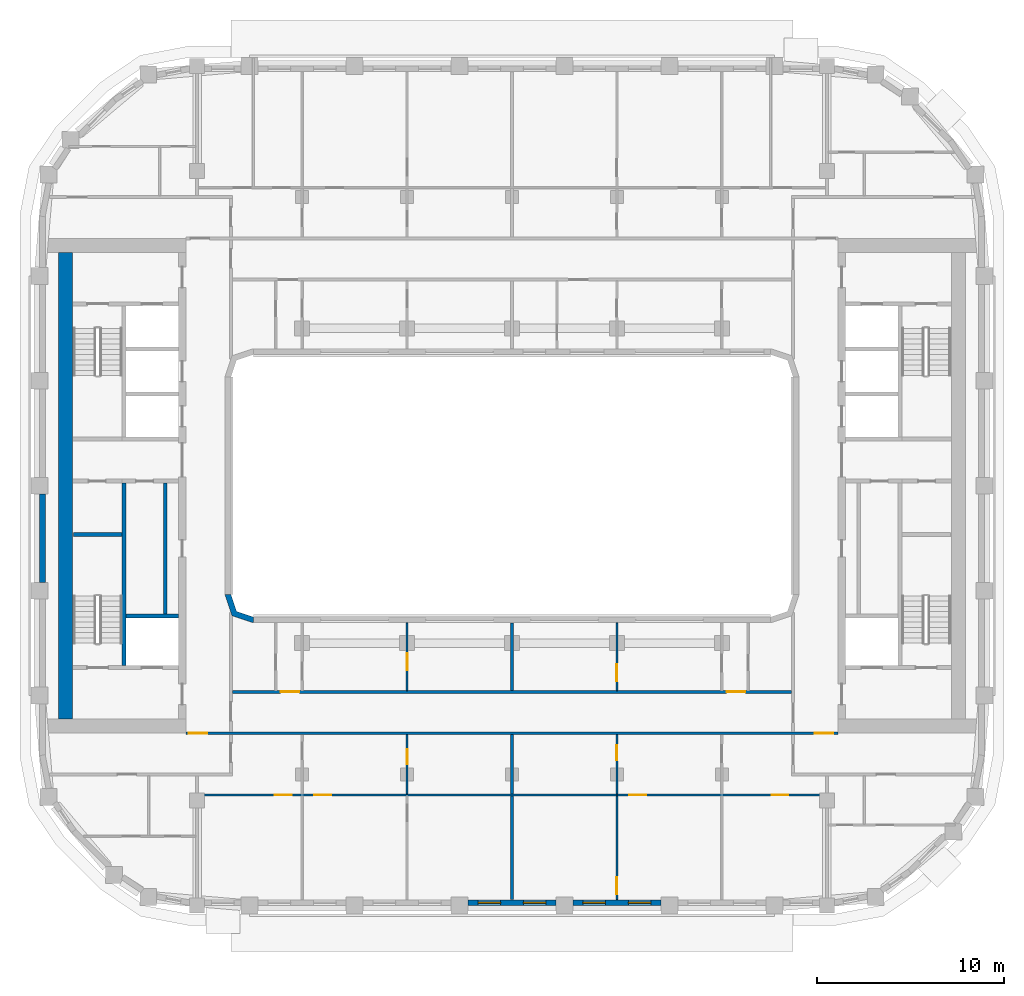
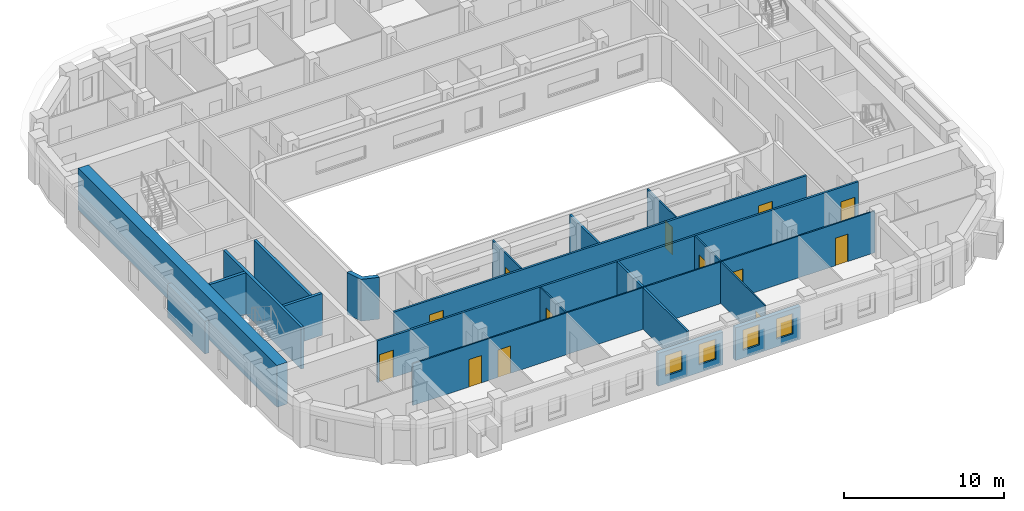
# One storey, part 3 of 21: 20 walls, 13 doors, 4 windows, 17 openings.
"""IFC4 building model written with IfcOpenShell, lengths in metres."""

from ifc_helpers import new_model, si_unit, direction, frame, frame_2d, origin, place, context, subcontext, project, spatial, polyline, rectangle, outline, extrude, material, layer, layer_set, type_object, element, fill, save


model = new_model("IFC4")

# Units and contexts
model_context = context("Model", 3, precision=1e-05, world=origin(), true_north=direction((0.0, 1.0)))
body_context = subcontext(model_context, "Body", "Model", "MODEL_VIEW")
ifc_project = project(units=[si_unit("LENGTHUNIT", "METRE"), si_unit("AREAUNIT", "SQUARE_METRE"), si_unit("VOLUMEUNIT", "CUBIC_METRE"), si_unit("PLANEANGLEUNIT", "RADIAN"), si_unit("MASSUNIT", "GRAM", prefix="KILO")], contexts=[model_context])

# Site, building, storey
site_placement = place(None, origin())
site = spatial("IfcSite", under=ifc_project, at=site_placement, CompositionType="ELEMENT")
building_placement = place(site_placement, origin())
building = spatial("IfcBuilding", under=site, at=building_placement, Name="Kiln Ring Residences", CompositionType="ELEMENT")
storey_placement = place(building_placement, frame((0.0, 0.0, 202.89990234375)))
storey = spatial("IfcBuildingStorey", under=building, at=storey_placement, Name="L52", CompositionType="ELEMENT", Elevation=202.89990234375)

# Walls
ifc_material_1 = material(Name="Gypsum board on steel studs", Category="steel")
ifc_layer_1 = layer(ifc_material_1, 0.199951171875)
ifc_layer_set_1 = layer_set([ifc_layer_1], Name="CORE-PARTITION-200")
wall_type_1 = type_object("IfcWallType", Name="CORE-PARTITION-200", PredefinedType="PARTITIONING", material=ifc_layer_set_1)
wall_1_placement = place(storey_placement, frame((-18.5, -6.85009765625, 0.0), z_axis=(0.0, 0.0, 1.0), x_axis=(0.0, 1.0, 0.0)))
element("IfcWall", 1, at=wall_1_placement, inside=storey, type_object=wall_type_1, Name="Core partition west L52 2", PredefinedType="PARTITIONING", context=body_context, shape_type="SweptSolid", body=[
    extrude(rectangle(XDim=7.0, YDim=0.199951171875, at=frame_2d((3.5, 0.0))), origin(), (0.0, 0.0, 1.0), 3.2001953125),
])
ifc_material_2 = material(Name="Gypsum shaft wall system")
ifc_layer_2 = layer(ifc_material_2, 0.199951171875)
ifc_layer_set_2 = layer_set([ifc_layer_2], Name="CORE-SHAFT-WALL-200")
wall_type_2 = type_object("IfcWallType", Name="CORE-SHAFT-WALL-200", PredefinedType="PARTITIONING", material=ifc_layer_set_2)
wall_2_placement = place(storey_placement, frame((-17.800048828125, -6.949951171875, 0.0), z_axis=(0.0, 0.0, 1.0), x_axis=(-1.0, 0.0, 0.0)))
element("IfcWall", 2, at=wall_2_placement, inside=storey, type_object=wall_type_2, Name="Core partition west L52 3", PredefinedType="PARTITIONING", context=body_context, shape_type="SweptSolid", body=[
    extrude(rectangle(XDim=2.800048828125, YDim=0.199951171875, at=frame_2d((1.39990234375, 0.0))), origin(), (0.0, 0.0, 1.0), 3.2001953125),
])
ifc_material_3 = material(Name="Concrete C40/50", Category="concrete")
ifc_layer_3 = layer(ifc_material_3, 0.199951171875)
ifc_layer_set_3 = layer_set([ifc_layer_3], Name="CORE-WALL-RC200")
wall_type_3 = type_object("IfcWallType", Name="CORE-WALL-RC200", PredefinedType="SHEAR", material=ifc_layer_set_3)
wall_3_placement = place(storey_placement, frame((-20.699951171875, -9.60009765625, 0.0), z_axis=(0.0, 0.0, 1.0), x_axis=(0.0, 1.0, 0.0)))
element("IfcWall", 3, at=wall_3_placement, inside=storey, type_object=wall_type_3, Name="Core wall west L52 2", PredefinedType="SHEAR", context=body_context, shape_type="SweptSolid", body=[
    extrude(rectangle(XDim=9.75, YDim=0.199951171875, at=frame_2d((4.875, 0.0))), origin(), (0.0, 0.0, 1.0), 3.2001953125),
])
wall_4_placement = place(storey_placement, frame((-20.800048828125, -2.60009765625, 0.0), z_axis=(0.0, 0.0, 1.0), x_axis=(-1.0, 0.0, 0.0)))
element("IfcWall", 4, at=wall_4_placement, inside=storey, type_object=wall_type_3, Name="Core wall west L52 10", PredefinedType="SHEAR", context=body_context, shape_type="SweptSolid", body=[
    extrude(rectangle(XDim=2.599853515625, YDim=0.199951171875, at=frame_2d((1.2998046875, 0.0))), origin(), (0.0, 0.0, 1.0), 3.2001953125),
])
ifc_material_4 = material(Name="Concrete C60/75", Category="concrete")
ifc_layer_4 = layer(ifc_material_4, 0.75)
ifc_layer_set_4 = layer_set([ifc_layer_4], Name="CORE-WALL-RC750")
wall_type_4 = type_object("IfcWallType", Name="CORE-WALL-RC750", PredefinedType="SHEAR", material=ifc_layer_set_4)
wall_5_placement = place(storey_placement, frame((-23.824951171875, -12.449951171875, 0.0), z_axis=(0.0, 0.0, 1.0), x_axis=(0.0, 1.0, 0.0)))
element("IfcWall", 5, at=wall_5_placement, inside=storey, type_object=wall_type_4, Name="Core wall west L52 7", PredefinedType="SHEAR", context=body_context, shape_type="SweptSolid", body=[
    extrude(rectangle(XDim=24.89990234375, YDim=0.75, at=frame_2d((12.449951171875, 0.0))), origin(), (0.0, 0.0, 1.0), 3.2001953125),
])

# Wall, openings, windows
ifc_material_5 = material(Name="Brick masonry, dark clay brick", Category="masonry")
ifc_layer_5 = layer(ifc_material_5, 0.300048828125)
ifc_layer_set_5 = layer_set([ifc_layer_5], Name="EW-300 BRICK WALL")
wall_type_5 = type_object("IfcWallType", Name="EW-300 BRICK WALL", PredefinedType="SOLIDWALL", material=ifc_layer_set_5)
wall_6_placement = place(storey_placement, frame((-2.35009765625, -22.25, 0.0), z_axis=(0.0, 0.0, 1.0), x_axis=(1.0, 0.0, 0.0)))
wall_6 = element("IfcWall", 6, at=wall_6_placement, inside=storey, type_object=wall_type_5, Name="Facade wall L52 7", PredefinedType="SOLIDWALL", context=body_context, shape_type="SweptSolid", body=[
    extrude(rectangle(XDim=4.7001953125, YDim=0.300048828125, at=frame_2d((2.35009765625, 0.0))), origin(), (0.0, 0.0, 1.0), 2.5),
])
opening_1_placement = place(wall_6_placement, frame((0.53759765625, 0.0, 0.60009765625)))
opening_1 = element("IfcOpeningElement", 7, at=opening_1_placement, cuts=wall_6, Name="Opening W1", PredefinedType="OPENING", context=body_context, shape_type="SweptSolid", body=[
    extrude(rectangle(XDim=1.199951171875, YDim=1.550048828125, at=frame_2d((0.60009765625, 0.77490234375))), frame((0.0, 0.159912109375, 0.0), z_axis=(0.0, -1.0, 0.0), x_axis=(1.0, 0.0, 0.0)), (0.0, 0.0, 1.0), 0.320068359375),
])
opening_2_placement = place(wall_6_placement, frame((2.96240234375, 0.0, 0.60009765625)))
opening_2 = element("IfcOpeningElement", 8, at=opening_2_placement, cuts=wall_6, Name="Opening W1", PredefinedType="OPENING", context=body_context, shape_type="SweptSolid", body=[
    extrude(rectangle(XDim=1.199951171875, YDim=1.550048828125, at=frame_2d((0.60009765625, 0.77490234375))), frame((0.0, 0.159912109375, 0.0), z_axis=(0.0, -1.0, 0.0), x_axis=(1.0, 0.0, 0.0)), (0.0, 0.0, 1.0), 0.320068359375),
])
ifc_material_6 = material(Name="Aluminium frame with double glazing", Category="aluminium")
window_type = type_object("IfcWindowType", Name="WINDOW 1200 x 1550", PartitioningType="SINGLE_PANEL", PredefinedType="WINDOW", material=ifc_material_6)
window_1_placement = place(opening_1_placement, origin())
window_1 = element("IfcWindow", 9, at=window_1_placement, inside=storey, type_object=window_type, Name="Window L52 7", OverallHeight=1.550048828125, OverallWidth=1.199951171875, PartitioningType="SINGLE_PANEL", PredefinedType="WINDOW", context=body_context, shape_type="SweptSolid", body=[
    extrude(rectangle(XDim=1.199951171875, YDim=1.550048828125, at=frame_2d((0.60009765625, 0.77490234375))), frame((0.0, 0.030029296875, 0.0), z_axis=(0.0, -1.0, 0.0), x_axis=(1.0, 0.0, 0.0)), (0.0, 0.0, 1.0), 0.06005859375),
])
fill(opening_1, window_1)
window_2_placement = place(opening_2_placement, origin())
window_2 = element("IfcWindow", 10, at=window_2_placement, inside=storey, type_object=window_type, Name="Window L52 8", OverallHeight=1.550048828125, OverallWidth=1.199951171875, PartitioningType="SINGLE_PANEL", PredefinedType="WINDOW", context=body_context, shape_type="SweptSolid", body=[
    extrude(rectangle(XDim=1.199951171875, YDim=1.550048828125, at=frame_2d((0.60009765625, 0.77490234375))), frame((0.0, 0.030029296875, 0.0), z_axis=(0.0, -1.0, 0.0), x_axis=(1.0, 0.0, 0.0)), (0.0, 0.0, 1.0), 0.06005859375),
])
fill(opening_2, window_2)

wall_7_placement = place(storey_placement, frame((3.25, -22.25, 0.0), z_axis=(0.0, 0.0, 1.0), x_axis=(1.0, 0.0, 0.0)))
wall_7 = element("IfcWall", 11, at=wall_7_placement, inside=storey, type_object=wall_type_5, Name="Facade wall L52 8", PredefinedType="SOLIDWALL", context=body_context, shape_type="SweptSolid", body=[
    extrude(rectangle(XDim=4.699951171875, YDim=0.300048828125, at=frame_2d((2.35009765625, 0.0))), origin(), (0.0, 0.0, 1.0), 2.5),
])
opening_3_placement = place(wall_7_placement, frame((0.53759765625, 0.0, 0.60009765625)))
opening_3 = element("IfcOpeningElement", 12, at=opening_3_placement, cuts=wall_7, Name="Opening W1", PredefinedType="OPENING", context=body_context, shape_type="SweptSolid", body=[
    extrude(rectangle(XDim=1.199951171875, YDim=1.550048828125, at=frame_2d((0.60009765625, 0.77490234375))), frame((0.0, 0.159912109375, 0.0), z_axis=(0.0, -1.0, 0.0), x_axis=(1.0, 0.0, 0.0)), (0.0, 0.0, 1.0), 0.320068359375),
])
opening_4_placement = place(wall_7_placement, frame((2.96240234375, 0.0, 0.60009765625)))
opening_4 = element("IfcOpeningElement", 13, at=opening_4_placement, cuts=wall_7, Name="Opening W1", PredefinedType="OPENING", context=body_context, shape_type="SweptSolid", body=[
    extrude(rectangle(XDim=1.199951171875, YDim=1.550048828125, at=frame_2d((0.60009765625, 0.77490234375))), frame((0.0, 0.159912109375, 0.0), z_axis=(0.0, -1.0, 0.0), x_axis=(1.0, 0.0, 0.0)), (0.0, 0.0, 1.0), 0.320068359375),
])
window_3_placement = place(opening_3_placement, origin())
window_3 = element("IfcWindow", 14, at=window_3_placement, inside=storey, type_object=window_type, Name="Window L52 9", OverallHeight=1.550048828125, OverallWidth=1.199951171875, PartitioningType="SINGLE_PANEL", PredefinedType="WINDOW", context=body_context, shape_type="SweptSolid", body=[
    extrude(rectangle(XDim=1.199951171875, YDim=1.550048828125, at=frame_2d((0.60009765625, 0.77490234375))), frame((0.0, 0.030029296875, 0.0), z_axis=(0.0, -1.0, 0.0), x_axis=(1.0, 0.0, 0.0)), (0.0, 0.0, 1.0), 0.06005859375),
])
fill(opening_3, window_3)
window_4_placement = place(opening_4_placement, origin())
window_4 = element("IfcWindow", 15, at=window_4_placement, inside=storey, type_object=window_type, Name="Window L52 10", OverallHeight=1.550048828125, OverallWidth=1.199951171875, PartitioningType="SINGLE_PANEL", PredefinedType="WINDOW", context=body_context, shape_type="SweptSolid", body=[
    extrude(rectangle(XDim=1.199951171875, YDim=1.550048828125, at=frame_2d((0.60009765625, 0.77490234375))), frame((0.0, 0.030029296875, 0.0), z_axis=(0.0, -1.0, 0.0), x_axis=(1.0, 0.0, 0.0)), (0.0, 0.0, 1.0), 0.06005859375),
])
fill(opening_4, window_4)

# Walls
wall_8_placement = place(storey_placement, frame((-25.050048828125, -0.449951171875, 0.0), z_axis=(0.0, 0.0, 1.0), x_axis=(0.0, -1.0, 0.0)))
element("IfcWall", 16, at=wall_8_placement, inside=storey, type_object=wall_type_5, Name="Facade wall L52 42", PredefinedType="SOLIDWALL", context=body_context, shape_type="SweptSolid", body=[
    extrude(rectangle(XDim=4.699951171875, YDim=0.300048828125, at=frame_2d((2.35009765625, 0.0))), origin(), (0.0, 0.0, 1.0), 2.5),
])
wall_9_placement = place(storey_placement, origin())
element("IfcWall", 17, at=wall_9_placement, inside=storey, type_object=wall_type_5, Name="Corner wall L52 4", PredefinedType="SOLIDWALL", context=body_context, shape_type="SweptSolid", body=[
    extrude(outline(polyline([(-14.937255859375, -6.937255859375), (-13.8486328125, -7.300048828125), (-13.800048828125, -7.300048828125), (-13.800048828125, -7.0), (-14.699951171875, -6.699951171875), (-15.0, -5.800048828125), (-15.300048828125, -5.800048828125), (-15.300048828125, -5.8486328125), (-14.937255859375, -6.937255859375)])), origin(), (0.0, 0.0, 1.0), 3.2001953125),
])

# Wall, openings, doors
ifc_material_7 = material(Name="Gypsum board on steel studs", Category="steel")
ifc_layer_6 = layer(ifc_material_7, 0.10009765625)
ifc_layer_set_6 = layer_set([ifc_layer_6], Name="PARTITION-100")
wall_type_6 = type_object("IfcWallType", Name="PARTITION-100", PredefinedType="PARTITIONING", material=ifc_layer_set_6)
wall_10_placement = place(storey_placement, frame((-16.72509765625, -16.5, 0.0), z_axis=(0.0, 0.0, 1.0), x_axis=(1.0, 0.0, 0.0)))
wall_10 = element("IfcWall", 18, at=wall_10_placement, inside=storey, type_object=wall_type_6, Name="Partition 002", PredefinedType="PARTITIONING", context=body_context, shape_type="SweptSolid", body=[
    extrude(rectangle(XDim=33.4501953125, YDim=0.10009765625, at=frame_2d((16.72509765625, 0.0))), origin(), (0.0, 0.0, 1.0), 3.2001953125),
])
opening_5_placement = place(wall_10_placement, frame((4.074951171875, 0.0, 0.0)))
opening_5 = element("IfcOpeningElement", 19, at=opening_5_placement, cuts=wall_10, Name="Opening L52-D048", PredefinedType="OPENING", context=body_context, shape_type="SweptSolid", body=[
    extrude(rectangle(XDim=0.89990234375, YDim=2.10009765625, at=frame_2d((0.449951171875, 1.050048828125))), frame((0.0, 0.06005859375, 0.0), z_axis=(0.0, -1.0, 0.0), x_axis=(1.0, 0.0, 0.0)), (0.0, 0.0, 1.0), 0.1201171875),
])
opening_6_placement = place(wall_10_placement, frame((6.175048828125, 0.0, 0.0)))
opening_6 = element("IfcOpeningElement", 20, at=opening_6_placement, cuts=wall_10, Name="Opening L52-D049", PredefinedType="OPENING", context=body_context, shape_type="SweptSolid", body=[
    extrude(rectangle(XDim=0.89990234375, YDim=2.10009765625, at=frame_2d((0.449951171875, 1.050048828125))), frame((0.0, 0.06005859375, 0.0), z_axis=(0.0, -1.0, 0.0), x_axis=(1.0, 0.0, 0.0)), (0.0, 0.0, 1.0), 0.1201171875),
])
opening_7_placement = place(wall_10_placement, frame((30.574951171875, 0.0, 0.0)))
opening_7 = element("IfcOpeningElement", 21, at=opening_7_placement, cuts=wall_10, Name="Opening L52-D054", PredefinedType="OPENING", context=body_context, shape_type="SweptSolid", body=[
    extrude(rectangle(XDim=0.89990234375, YDim=2.10009765625, at=frame_2d((0.449951171875, 1.050048828125))), frame((0.0, 0.06005859375, 0.0), z_axis=(0.0, -1.0, 0.0), x_axis=(1.0, 0.0, 0.0)), (0.0, 0.0, 1.0), 0.1201171875),
])
opening_8_placement = place(wall_10_placement, frame((22.97509765625, 0.0, 0.0)))
opening_8 = element("IfcOpeningElement", 22, at=opening_8_placement, cuts=wall_10, Name="Opening L52-D055", PredefinedType="OPENING", context=body_context, shape_type="SweptSolid", body=[
    extrude(rectangle(XDim=0.89990234375, YDim=2.10009765625, at=frame_2d((0.449951171875, 1.050048828125))), frame((0.0, 0.06005859375, 0.0), z_axis=(0.0, -1.0, 0.0), x_axis=(1.0, 0.0, 0.0)), (0.0, 0.0, 1.0), 0.1201171875),
])
ifc_material_8 = material(Name="Timber door leaf", Category="wood")
door_type_1 = type_object("IfcDoorType", Name="FLAT-DOOR-900-PL", OperationType="SINGLE_SWING_LEFT", PredefinedType="DOOR", material=ifc_material_8)
door_1_placement = place(opening_5_placement, origin())
door_1 = element("IfcDoor", 23, at=door_1_placement, inside=storey, type_object=door_type_1, Name="Door L52-D048", OperationType="SINGLE_SWING_RIGHT", OverallHeight=2.10009765625, OverallWidth=0.89990234375, PredefinedType="DOOR", context=body_context, shape_type="SweptSolid", body=[
    extrude(rectangle(XDim=0.89990234375, YDim=2.10009765625, at=frame_2d((0.449951171875, 1.050048828125))), frame((0.0, 0.02490234375, 0.0), z_axis=(0.0, -1.0, 0.0), x_axis=(1.0, 0.0, 0.0)), (0.0, 0.0, 1.0), 0.050048828125),
])
fill(opening_5, door_1)
door_2_placement = place(opening_6_placement, origin())
door_2 = element("IfcDoor", 24, at=door_2_placement, inside=storey, type_object=door_type_1, Name="Door L52-D049", OperationType="SINGLE_SWING_LEFT", OverallHeight=2.10009765625, OverallWidth=0.89990234375, PredefinedType="DOOR", context=body_context, shape_type="SweptSolid", body=[
    extrude(rectangle(XDim=0.89990234375, YDim=2.10009765625, at=frame_2d((0.449951171875, 1.050048828125))), frame((0.0, 0.02490234375, 0.0), z_axis=(0.0, -1.0, 0.0), x_axis=(1.0, 0.0, 0.0)), (0.0, 0.0, 1.0), 0.050048828125),
])
fill(opening_6, door_2)
door_3_placement = place(opening_7_placement, origin())
door_3 = element("IfcDoor", 25, at=door_3_placement, inside=storey, type_object=door_type_1, Name="Door L52-D054", OperationType="SINGLE_SWING_RIGHT", OverallHeight=2.10009765625, OverallWidth=0.89990234375, PredefinedType="DOOR", context=body_context, shape_type="SweptSolid", body=[
    extrude(rectangle(XDim=0.89990234375, YDim=2.10009765625, at=frame_2d((0.449951171875, 1.050048828125))), frame((0.0, 0.02490234375, 0.0), z_axis=(0.0, -1.0, 0.0), x_axis=(1.0, 0.0, 0.0)), (0.0, 0.0, 1.0), 0.050048828125),
])
fill(opening_7, door_3)
door_4_placement = place(opening_8_placement, origin())
door_4 = element("IfcDoor", 26, at=door_4_placement, inside=storey, type_object=door_type_1, Name="Door L52-D055", OperationType="SINGLE_SWING_LEFT", OverallHeight=2.10009765625, OverallWidth=0.89990234375, PredefinedType="DOOR", context=body_context, shape_type="SweptSolid", body=[
    extrude(rectangle(XDim=0.89990234375, YDim=2.10009765625, at=frame_2d((0.449951171875, 1.050048828125))), frame((0.0, 0.02490234375, 0.0), z_axis=(0.0, -1.0, 0.0), x_axis=(1.0, 0.0, 0.0)), (0.0, 0.0, 1.0), 0.050048828125),
])
fill(opening_8, door_4)

# Wall, opening, door
wall_11_placement = place(storey_placement, frame((-5.60009765625, -16.449951171875, 0.0), z_axis=(0.0, 0.0, 1.0), x_axis=(0.0, 1.0, 0.0)))
wall_11 = element("IfcWall", 27, at=wall_11_placement, inside=storey, type_object=wall_type_6, Name="Partition 032", PredefinedType="PARTITIONING", context=body_context, shape_type="SweptSolid", body=[
    extrude(rectangle(XDim=3.175048828125, YDim=0.10009765625, at=frame_2d((1.58740234375, 0.0))), origin(), (0.0, 0.0, 1.0), 3.2001953125),
])
opening_9_placement = place(wall_11_placement, frame((1.60009765625, 0.0, 0.0)))
opening_9 = element("IfcOpeningElement", 28, at=opening_9_placement, cuts=wall_11, Name="Opening L52-D047", PredefinedType="OPENING", context=body_context, shape_type="SweptSolid", body=[
    extrude(rectangle(XDim=0.800048828125, YDim=2.10009765625, at=frame_2d((0.39990234375, 1.050048828125))), frame((0.0, 0.06005859375, 0.0), z_axis=(0.0, -1.0, 0.0), x_axis=(1.0, 0.0, 0.0)), (0.0, 0.0, 1.0), 0.1201171875),
])
ifc_material_9 = material(Name="Timber door leaf", Category="wood")
door_type_2 = type_object("IfcDoorType", Name="FLAT-DOOR-800-PL", OperationType="SINGLE_SWING_LEFT", PredefinedType="DOOR", material=ifc_material_9)
door_5_placement = place(opening_9_placement, origin())
door_5 = element("IfcDoor", 29, at=door_5_placement, inside=storey, type_object=door_type_2, Name="Door L52-D047", OperationType="SINGLE_SWING_RIGHT", OverallHeight=2.10009765625, OverallWidth=0.800048828125, PredefinedType="DOOR", context=body_context, shape_type="SweptSolid", body=[
    extrude(rectangle(XDim=0.800048828125, YDim=2.10009765625, at=frame_2d((0.39990234375, 1.050048828125))), frame((0.0, 0.02490234375, 0.0), z_axis=(0.0, -1.0, 0.0), x_axis=(1.0, 0.0, 0.0)), (0.0, 0.0, 1.0), 0.050048828125),
])
fill(opening_9, door_5)

wall_12_placement = place(storey_placement, frame((-5.60009765625, -10.925048828125, 0.0), z_axis=(0.0, 0.0, 1.0), x_axis=(0.0, 1.0, 0.0)))
wall_12 = element("IfcWall", 30, at=wall_12_placement, inside=storey, type_object=wall_type_6, Name="Partition 033", PredefinedType="PARTITIONING", context=body_context, shape_type="SweptSolid", body=[
    extrude(rectangle(XDim=3.60498046875, YDim=0.10009765625, at=frame_2d((1.802490234375, 0.0))), origin(), (0.0, 0.0, 1.0), 3.2001953125),
])
opening_10_placement = place(wall_12_placement, frame((1.075927734375, 0.0, 0.0)))
opening_10 = element("IfcOpeningElement", 31, at=opening_10_placement, cuts=wall_12, Name="Opening L52-D040", PredefinedType="OPENING", context=body_context, shape_type="SweptSolid", body=[
    extrude(rectangle(XDim=0.89990234375, YDim=2.10009765625, at=frame_2d((0.449951171875, 1.050048828125))), frame((0.0, 0.06005859375, 0.0), z_axis=(0.0, -1.0, 0.0), x_axis=(1.0, 0.0, 0.0)), (0.0, 0.0, 1.0), 0.1201171875),
])
door_6_placement = place(opening_10_placement, origin())
door_6 = element("IfcDoor", 32, at=door_6_placement, inside=storey, type_object=door_type_1, Name="Door L52-D040", OperationType="SINGLE_SWING_LEFT", OverallHeight=2.10009765625, OverallWidth=0.89990234375, PredefinedType="DOOR", context=body_context, shape_type="SweptSolid", body=[
    extrude(rectangle(XDim=0.89990234375, YDim=2.10009765625, at=frame_2d((0.449951171875, 1.050048828125))), frame((0.0, 0.02490234375, 0.0), z_axis=(0.0, -1.0, 0.0), x_axis=(1.0, 0.0, 0.0)), (0.0, 0.0, 1.0), 0.050048828125),
])
fill(opening_10, door_6)

wall_13_placement = place(storey_placement, frame((5.60009765625, -22.080078125, 0.0), z_axis=(0.0, 0.0, 1.0), x_axis=(0.0, 1.0, 0.0)))
wall_13 = element("IfcWall", 33, at=wall_13_placement, inside=storey, type_object=wall_type_6, Name="Partition 044", PredefinedType="PARTITIONING", context=body_context, shape_type="SweptSolid", body=[
    extrude(rectangle(XDim=5.530029296875, YDim=0.10009765625, at=frame_2d((2.76513671875, 0.0))), origin(), (0.0, 0.0, 1.0), 3.2001953125),
])
opening_11_placement = place(wall_13_placement, frame((0.280029296875, 0.0, 0.0)))
opening_11 = element("IfcOpeningElement", 34, at=opening_11_placement, cuts=wall_13, Name="Opening L52-D056", PredefinedType="OPENING", context=body_context, shape_type="SweptSolid", body=[
    extrude(rectangle(XDim=0.89990234375, YDim=2.10009765625, at=frame_2d((0.449951171875, 1.050048828125))), frame((0.0, 0.06005859375, 0.0), z_axis=(0.0, -1.0, 0.0), x_axis=(1.0, 0.0, 0.0)), (0.0, 0.0, 1.0), 0.1201171875),
])
door_7_placement = place(opening_11_placement, origin())
door_7 = element("IfcDoor", 35, at=door_7_placement, inside=storey, type_object=door_type_1, Name="Door L52-D056", OperationType="SINGLE_SWING_RIGHT", OverallHeight=2.10009765625, OverallWidth=0.89990234375, PredefinedType="DOOR", context=body_context, shape_type="SweptSolid", body=[
    extrude(rectangle(XDim=0.89990234375, YDim=2.10009765625, at=frame_2d((0.449951171875, 1.050048828125))), frame((0.0, 0.02490234375, 0.0), z_axis=(0.0, -1.0, 0.0), x_axis=(1.0, 0.0, 0.0)), (0.0, 0.0, 1.0), 0.050048828125),
])
fill(opening_11, door_7)

wall_14_placement = place(storey_placement, frame((5.60009765625, -16.449951171875, 0.0), z_axis=(0.0, 0.0, 1.0), x_axis=(0.0, 1.0, 0.0)))
wall_14 = element("IfcWall", 36, at=wall_14_placement, inside=storey, type_object=wall_type_6, Name="Partition 045", PredefinedType="PARTITIONING", context=body_context, shape_type="SweptSolid", body=[
    extrude(rectangle(XDim=3.175048828125, YDim=0.10009765625, at=frame_2d((1.58740234375, 0.0))), origin(), (0.0, 0.0, 1.0), 3.2001953125),
])
opening_12_placement = place(wall_14_placement, frame((1.799072265625, 0.0, 0.0)))
opening_12 = element("IfcOpeningElement", 37, at=opening_12_placement, cuts=wall_14, Name="Opening L52-D053", PredefinedType="OPENING", context=body_context, shape_type="SweptSolid", body=[
    extrude(rectangle(XDim=0.800048828125, YDim=2.10009765625, at=frame_2d((0.39990234375, 1.050048828125))), frame((0.0, 0.06005859375, 0.0), z_axis=(0.0, -1.0, 0.0), x_axis=(1.0, 0.0, 0.0)), (0.0, 0.0, 1.0), 0.1201171875),
])
door_8_placement = place(opening_12_placement, origin())
door_8 = element("IfcDoor", 38, at=door_8_placement, inside=storey, type_object=door_type_2, Name="Door L52-D053", OperationType="SINGLE_SWING_LEFT", OverallHeight=2.10009765625, OverallWidth=0.800048828125, PredefinedType="DOOR", context=body_context, shape_type="SweptSolid", body=[
    extrude(rectangle(XDim=0.800048828125, YDim=2.10009765625, at=frame_2d((0.39990234375, 1.050048828125))), frame((0.0, 0.02490234375, 0.0), z_axis=(0.0, -1.0, 0.0), x_axis=(1.0, 0.0, 0.0)), (0.0, 0.0, 1.0), 0.050048828125),
])
fill(opening_12, door_8)

wall_15_placement = place(storey_placement, frame((5.60009765625, -10.925048828125, 0.0), z_axis=(0.0, 0.0, 1.0), x_axis=(0.0, 1.0, 0.0)))
wall_15 = element("IfcWall", 39, at=wall_15_placement, inside=storey, type_object=wall_type_6, Name="Partition 046", PredefinedType="PARTITIONING", context=body_context, shape_type="SweptSolid", body=[
    extrude(rectangle(XDim=3.60498046875, YDim=0.10009765625, at=frame_2d((1.802490234375, 0.0))), origin(), (0.0, 0.0, 1.0), 3.2001953125),
])
opening_13_placement = place(wall_15_placement, frame((0.5048828125, 0.0, 0.0)))
opening_13 = element("IfcOpeningElement", 40, at=opening_13_placement, cuts=wall_15, Name="Opening L52-D044", PredefinedType="OPENING", context=body_context, shape_type="SweptSolid", body=[
    extrude(rectangle(XDim=0.89990234375, YDim=2.10009765625, at=frame_2d((0.449951171875, 1.050048828125))), frame((0.0, 0.06005859375, 0.0), z_axis=(0.0, -1.0, 0.0), x_axis=(1.0, 0.0, 0.0)), (0.0, 0.0, 1.0), 0.1201171875),
])
door_9_placement = place(opening_13_placement, origin())
door_9 = element("IfcDoor", 41, at=door_9_placement, inside=storey, type_object=door_type_1, Name="Door L52-D044", OperationType="SINGLE_SWING_RIGHT", OverallHeight=2.10009765625, OverallWidth=0.89990234375, PredefinedType="DOOR", context=body_context, shape_type="SweptSolid", body=[
    extrude(rectangle(XDim=0.89990234375, YDim=2.10009765625, at=frame_2d((0.449951171875, 1.050048828125))), frame((0.0, 0.02490234375, 0.0), z_axis=(0.0, -1.0, 0.0), x_axis=(1.0, 0.0, 0.0)), (0.0, 0.0, 1.0), 0.050048828125),
])
fill(opening_13, door_9)

# Wall, openings, doors
ifc_material_10 = material(Name="Brick masonry partition", Category="masonry")
ifc_layer_7 = layer(ifc_material_10, 0.14990234375)
ifc_layer_set_7 = layer_set([ifc_layer_7], Name="PARTITION-150-ei60")
wall_type_7 = type_object("IfcWallType", Name="PARTITION-150-ei60", PredefinedType="PARTITIONING", material=ifc_layer_set_7)
wall_16_placement = place(storey_placement, frame((-17.39990234375, -13.199951171875, 0.0), z_axis=(0.0, 0.0, 1.0), x_axis=(1.0, 0.0, 0.0)))
wall_16 = element("IfcWall", 42, at=wall_16_placement, inside=storey, type_object=wall_type_7, Name="Partition 005", PredefinedType="PARTITIONING", context=body_context, shape_type="SweptSolid", body=[
    extrude(rectangle(XDim=34.7998046875, YDim=0.14990234375, at=frame_2d((17.39990234375, 0.0))), origin(), (0.0, 0.0, 1.0), 3.2001953125),
])
opening_14_placement = place(wall_16_placement, frame((0.14990234375, 0.0, 0.0)))
opening_14 = element("IfcOpeningElement", 43, at=opening_14_placement, cuts=wall_16, Name="Opening L52-D007", PredefinedType="OPENING", context=body_context, shape_type="SweptSolid", body=[
    extrude(rectangle(XDim=1.0, YDim=2.10009765625, at=frame_2d((0.5, 1.050048828125))), frame((0.0, 0.0849609375, 0.0), z_axis=(0.0, -1.0, 0.0), x_axis=(1.0, 0.0, 0.0)), (0.0, 0.0, 1.0), 0.169921875),
])
opening_15_placement = place(wall_16_placement, frame((33.550048828125, 0.0, 0.0)))
opening_15 = element("IfcOpeningElement", 44, at=opening_15_placement, cuts=wall_16, Name="Opening L52-D008", PredefinedType="OPENING", context=body_context, shape_type="SweptSolid", body=[
    extrude(rectangle(XDim=1.0, YDim=2.10009765625, at=frame_2d((0.5, 1.050048828125))), frame((0.0, 0.0849609375, 0.0), z_axis=(0.0, -1.0, 0.0), x_axis=(1.0, 0.0, 0.0)), (0.0, 0.0, 1.0), 0.169921875),
])
ifc_material_11 = material(Name="Steel faced fire door leaf", Category="steel")
door_type_3 = type_object("IfcDoorType", Name="FLAT-DOOR-1000-FR", OperationType="SINGLE_SWING_LEFT", PredefinedType="DOOR", material=ifc_material_11)
door_10_placement = place(opening_14_placement, origin())
door_10 = element("IfcDoor", 45, at=door_10_placement, inside=storey, type_object=door_type_3, Name="Door L52-D007", OperationType="SINGLE_SWING_RIGHT", OverallHeight=2.10009765625, OverallWidth=1.0, PredefinedType="DOOR", context=body_context, shape_type="SweptSolid", body=[
    extrude(rectangle(XDim=1.0, YDim=2.10009765625, at=frame_2d((0.5, 1.050048828125))), frame((0.0, 0.02490234375, 0.0), z_axis=(0.0, -1.0, 0.0), x_axis=(1.0, 0.0, 0.0)), (0.0, 0.0, 1.0), 0.050048828125),
])
fill(opening_14, door_10)
door_11_placement = place(opening_15_placement, origin())
door_11 = element("IfcDoor", 46, at=door_11_placement, inside=storey, type_object=door_type_3, Name="Door L52-D008", OperationType="SINGLE_SWING_LEFT", OverallHeight=2.10009765625, OverallWidth=1.0, PredefinedType="DOOR", context=body_context, shape_type="SweptSolid", body=[
    extrude(rectangle(XDim=1.0, YDim=2.10009765625, at=frame_2d((0.5, 1.050048828125))), frame((0.0, 0.02490234375, 0.0), z_axis=(0.0, -1.0, 0.0), x_axis=(1.0, 0.0, 0.0)), (0.0, 0.0, 1.0), 0.050048828125),
])
fill(opening_15, door_11)

wall_17_placement = place(storey_placement, frame((-14.925048828125, -11.0, 0.0), z_axis=(0.0, 0.0, 1.0), x_axis=(1.0, 0.0, 0.0)))
wall_17 = element("IfcWall", 47, at=wall_17_placement, inside=storey, type_object=wall_type_7, Name="Partition 006", PredefinedType="PARTITIONING", context=body_context, shape_type="SweptSolid", body=[
    extrude(rectangle(XDim=29.85009765625, YDim=0.14990234375, at=frame_2d((14.925048828125, 0.0))), origin(), (0.0, 0.0, 1.0), 3.2001953125),
])
opening_16_placement = place(wall_17_placement, frame((2.574951171875, 0.0, 0.0)))
opening_16 = element("IfcOpeningElement", 48, at=opening_16_placement, cuts=wall_17, Name="Opening L52-D037", PredefinedType="OPENING", context=body_context, shape_type="SweptSolid", body=[
    extrude(rectangle(XDim=1.0, YDim=2.10009765625, at=frame_2d((0.5, 1.050048828125))), frame((0.0, 0.0849609375, 0.0), z_axis=(0.0, -1.0, 0.0), x_axis=(1.0, 0.0, 0.0)), (0.0, 0.0, 1.0), 0.169921875),
])
opening_17_placement = place(wall_17_placement, frame((26.375, 0.0, 0.0)))
opening_17 = element("IfcOpeningElement", 49, at=opening_17_placement, cuts=wall_17, Name="Opening L52-D041", PredefinedType="OPENING", context=body_context, shape_type="SweptSolid", body=[
    extrude(rectangle(XDim=1.0, YDim=2.10009765625, at=frame_2d((0.5, 1.050048828125))), frame((0.0, 0.0849609375, 0.0), z_axis=(0.0, -1.0, 0.0), x_axis=(1.0, 0.0, 0.0)), (0.0, 0.0, 1.0), 0.169921875),
])
door_12_placement = place(opening_16_placement, origin())
door_12 = element("IfcDoor", 50, at=door_12_placement, inside=storey, type_object=door_type_3, Name="Door L52-D037", OperationType="SINGLE_SWING_LEFT", OverallHeight=2.10009765625, OverallWidth=1.0, PredefinedType="DOOR", context=body_context, shape_type="SweptSolid", body=[
    extrude(rectangle(XDim=1.0, YDim=2.10009765625, at=frame_2d((0.5, 1.050048828125))), frame((0.0, 0.02490234375, 0.0), z_axis=(0.0, -1.0, 0.0), x_axis=(1.0, 0.0, 0.0)), (0.0, 0.0, 1.0), 0.050048828125),
])
fill(opening_16, door_12)
door_13_placement = place(opening_17_placement, origin())
door_13 = element("IfcDoor", 51, at=door_13_placement, inside=storey, type_object=door_type_3, Name="Door L52-D041", OperationType="SINGLE_SWING_LEFT", OverallHeight=2.10009765625, OverallWidth=1.0, PredefinedType="DOOR", context=body_context, shape_type="SweptSolid", body=[
    extrude(rectangle(XDim=1.0, YDim=2.10009765625, at=frame_2d((0.5, 1.050048828125))), frame((0.0, 0.02490234375, 0.0), z_axis=(0.0, -1.0, 0.0), x_axis=(1.0, 0.0, 0.0)), (0.0, 0.0, 1.0), 0.050048828125),
])
fill(opening_17, door_13)

# Walls
wall_18_placement = place(storey_placement, frame((0.0, -22.080078125, 0.0), z_axis=(0.0, 0.0, 1.0), x_axis=(0.0, 1.0, 0.0)))
element("IfcWall", 52, at=wall_18_placement, inside=storey, type_object=wall_type_7, Name="Partition 037", PredefinedType="PARTITIONING", context=body_context, shape_type="SweptSolid", body=[
    extrude(rectangle(XDim=5.530029296875, YDim=0.14990234375, at=frame_2d((2.76513671875, 0.0))), origin(), (0.0, 0.0, 1.0), 3.2001953125),
])
wall_19_placement = place(storey_placement, frame((0.0, -16.449951171875, 0.0), z_axis=(0.0, 0.0, 1.0), x_axis=(0.0, 1.0, 0.0)))
element("IfcWall", 53, at=wall_19_placement, inside=storey, type_object=wall_type_7, Name="Partition 038", PredefinedType="PARTITIONING", context=body_context, shape_type="SweptSolid", body=[
    extrude(rectangle(XDim=3.175048828125, YDim=0.14990234375, at=frame_2d((1.58740234375, 0.0))), origin(), (0.0, 0.0, 1.0), 3.2001953125),
])
wall_20_placement = place(storey_placement, frame((0.0, -10.925048828125, 0.0), z_axis=(0.0, 0.0, 1.0), x_axis=(0.0, 1.0, 0.0)))
element("IfcWall", 54, at=wall_20_placement, inside=storey, type_object=wall_type_7, Name="Partition 039", PredefinedType="PARTITIONING", context=body_context, shape_type="SweptSolid", body=[
    extrude(rectangle(XDim=3.60498046875, YDim=0.14990234375, at=frame_2d((1.802490234375, 0.0))), origin(), (0.0, 0.0, 1.0), 3.2001953125),
])

save(model, "model.ifc")
